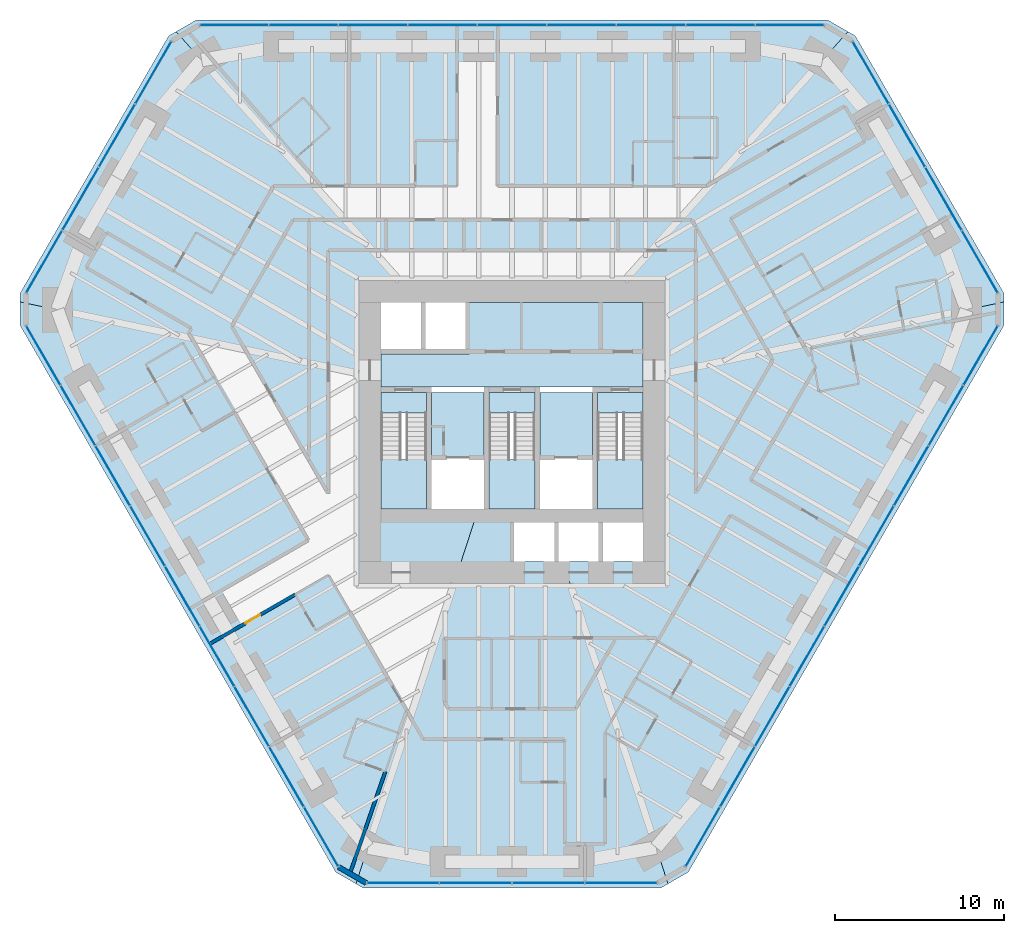
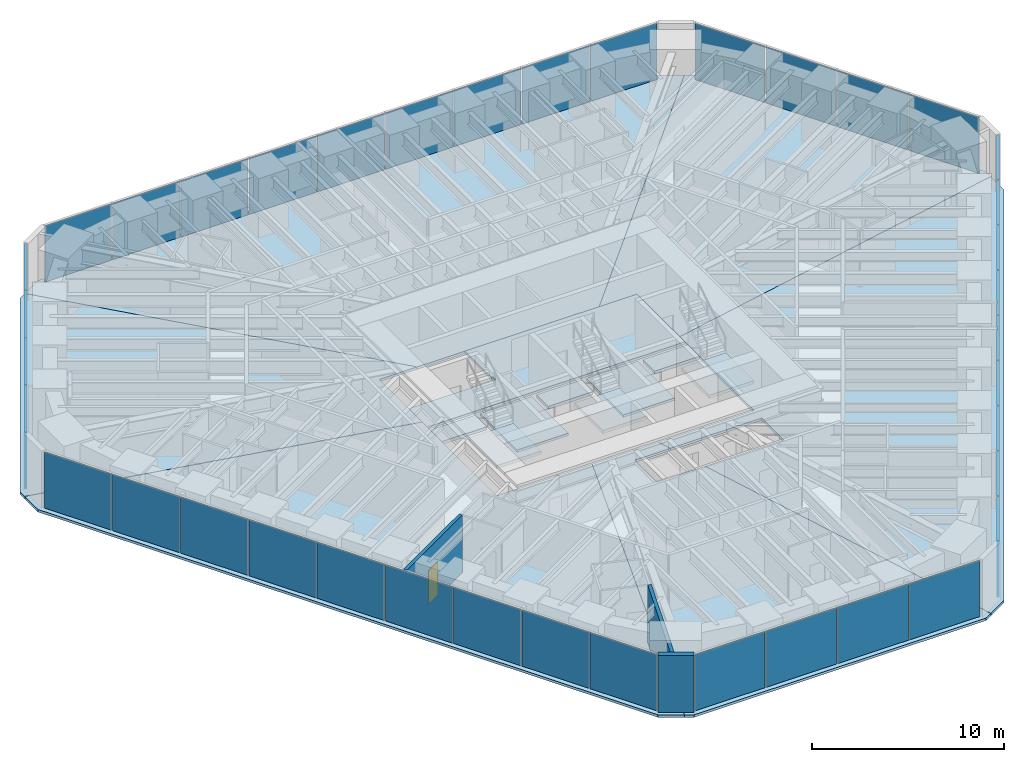
# One storey, part 10 of 17: 39 plates, 15 slabs, 3 walls, 1 door, 1 opening, 9 elements without a shape of their own.
"""IFC4 building model written with IfcOpenShell, lengths in metres."""

from ifc_helpers import new_model, si_unit, direction, frame, frame_2d, origin, origin_2d, place, context, subcontext, project, spatial, polyline, rectangle, outline, extrude, material, layer, layer_set, type_object, element, fill, aggregate, save


model = new_model("IFC4")

# Units and contexts
model_context = context("Model", 3, precision=1e-05, world=origin(), true_north=direction((0.0, 1.0)))
body_context = subcontext(model_context, "Body", "Model", "MODEL_VIEW")
ifc_project = project(units=[si_unit("LENGTHUNIT", "METRE"), si_unit("AREAUNIT", "SQUARE_METRE"), si_unit("VOLUMEUNIT", "CUBIC_METRE"), si_unit("PLANEANGLEUNIT", "RADIAN"), si_unit("MASSUNIT", "GRAM", prefix="KILO")], contexts=[model_context])

# Site, building, storey
site_placement = place(None, origin())
site = spatial("IfcSite", under=ifc_project, at=site_placement, CompositionType="ELEMENT")
building_placement = place(site_placement, origin())
building = spatial("IfcBuilding", under=site, at=building_placement, Name="Sandreach Pilgrim Tower", CompositionType="ELEMENT")
storey_placement = place(building_placement, frame((0.0, 0.0, 142.39990234375)))
storey = spatial("IfcBuildingStorey", under=building, at=storey_placement, Name="L35", CompositionType="ELEMENT", Elevation=142.39990234375)

# Curtain wall, plates
ifc_material_1 = material(Name="Aluminium framed curtain wall", Category="aluminium")
curtain_wall_type = type_object("IfcCurtainWallType", Name="Hotel tower curtain wall", PredefinedType="NOTDEFINED", material=ifc_material_1)
curtain_wall_1_placement = place(storey_placement, origin())
curtain_wall_1 = element("IfcCurtainWall", 1, at=curtain_wall_1_placement, inside=storey, type_object=curtain_wall_type, Name="CW-2 L35 N", PredefinedType="NOTDEFINED")
ifc_material_2 = material(Name="Insulating glass unit 8 heat-strengthened + 16 argon + 8 heat-strengthened", Category="glass")
ifc_layer_1 = layer(ifc_material_2, 0.031982421875)
ifc_layer_set_1 = layer_set([ifc_layer_1], Name="CW-2 panel")
plate_type = type_object("IfcPlateType", Name="CW-2 panel", PredefinedType="CURTAIN_PANEL", material=ifc_layer_set_1)
plate_1_placement = place(storey_placement, frame((-16.41162109375, 22.493896484375, 0.0), z_axis=(0.0, 0.0, 1.0), x_axis=(1.0, 0.0, 0.0)))
plate_1 = element("IfcPlate", 2, at=plate_1_placement, type_object=plate_type, Name="CW-2 panel 1", PredefinedType="CURTAIN_PANEL", context=body_context, shape_type="SweptSolid", body=[
    extrude(rectangle(XDim=4.009521484375, YDim=0.031982421875, at=origin_2d()), origin(), (0.0, 0.0, 1.0), 3.570068359375),
])
plate_2_placement = place(storey_placement, frame((-12.32080078125, 22.493896484375, 0.0), z_axis=(0.0, 0.0, 1.0), x_axis=(1.0, 0.0, 0.0)))
plate_2 = element("IfcPlate", 3, at=plate_2_placement, type_object=plate_type, Name="CW-2 panel 2", PredefinedType="CURTAIN_PANEL", context=body_context, shape_type="SweptSolid", body=[
    extrude(rectangle(XDim=4.0419921875, YDim=0.031982421875, at=origin_2d()), origin(), (0.0, 0.0, 1.0), 3.570068359375),
])
plate_3_placement = place(storey_placement, frame((-8.2138671875, 22.493896484375, 0.0), z_axis=(0.0, 0.0, 1.0), x_axis=(1.0, 0.0, 0.0)))
plate_3 = element("IfcPlate", 4, at=plate_3_placement, type_object=plate_type, Name="CW-2 panel 3", PredefinedType="CURTAIN_PANEL", context=body_context, shape_type="SweptSolid", body=[
    extrude(rectangle(XDim=4.0419921875, YDim=0.031982421875, at=origin_2d()), origin(), (0.0, 0.0, 1.0), 3.570068359375),
])
plate_4_placement = place(storey_placement, frame((-4.10693359375, 22.493896484375, 0.0), z_axis=(0.0, 0.0, 1.0), x_axis=(1.0, 0.0, 0.0)))
plate_4 = element("IfcPlate", 5, at=plate_4_placement, type_object=plate_type, Name="CW-2 panel 4", PredefinedType="CURTAIN_PANEL", context=body_context, shape_type="SweptSolid", body=[
    extrude(rectangle(XDim=4.0419921875, YDim=0.031982421875, at=origin_2d()), origin(), (0.0, 0.0, 1.0), 3.570068359375),
])
plate_5_placement = place(storey_placement, frame((0.0, 22.493896484375, 0.0), z_axis=(0.0, 0.0, 1.0), x_axis=(1.0, 0.0, 0.0)))
plate_5 = element("IfcPlate", 6, at=plate_5_placement, type_object=plate_type, Name="CW-2 panel 5", PredefinedType="CURTAIN_PANEL", context=body_context, shape_type="SweptSolid", body=[
    extrude(rectangle(XDim=4.0419921875, YDim=0.031982421875, at=origin_2d()), origin(), (0.0, 0.0, 1.0), 3.570068359375),
])
plate_6_placement = place(storey_placement, frame((4.10693359375, 22.493896484375, 0.0), z_axis=(0.0, 0.0, 1.0), x_axis=(1.0, 0.0, 0.0)))
plate_6 = element("IfcPlate", 7, at=plate_6_placement, type_object=plate_type, Name="CW-2 panel 6", PredefinedType="CURTAIN_PANEL", context=body_context, shape_type="SweptSolid", body=[
    extrude(rectangle(XDim=4.0419921875, YDim=0.031982421875, at=origin_2d()), origin(), (0.0, 0.0, 1.0), 3.570068359375),
])
plate_7_placement = place(storey_placement, frame((8.2138671875, 22.493896484375, 0.0), z_axis=(0.0, 0.0, 1.0), x_axis=(1.0, 0.0, 0.0)))
plate_7 = element("IfcPlate", 8, at=plate_7_placement, type_object=plate_type, Name="CW-2 panel 7", PredefinedType="CURTAIN_PANEL", context=body_context, shape_type="SweptSolid", body=[
    extrude(rectangle(XDim=4.0419921875, YDim=0.031982421875, at=origin_2d()), origin(), (0.0, 0.0, 1.0), 3.570068359375),
])
plate_8_placement = place(storey_placement, frame((12.32080078125, 22.493896484375, 0.0), z_axis=(0.0, 0.0, 1.0), x_axis=(1.0, 0.0, 0.0)))
plate_8 = element("IfcPlate", 9, at=plate_8_placement, type_object=plate_type, Name="CW-2 panel 8", PredefinedType="CURTAIN_PANEL", context=body_context, shape_type="SweptSolid", body=[
    extrude(rectangle(XDim=4.0419921875, YDim=0.031982421875, at=origin_2d()), origin(), (0.0, 0.0, 1.0), 3.570068359375),
])
plate_9_placement = place(storey_placement, frame((16.41162109375, 22.493896484375, 0.0), z_axis=(0.0, 0.0, 1.0), x_axis=(1.0, 0.0, 0.0)))
plate_9 = element("IfcPlate", 10, at=plate_9_placement, type_object=plate_type, Name="CW-2 panel 9", PredefinedType="CURTAIN_PANEL", context=body_context, shape_type="SweptSolid", body=[
    extrude(rectangle(XDim=4.009521484375, YDim=0.031982421875, at=origin_2d()), origin(), (0.0, 0.0, 1.0), 3.570068359375),
])
aggregate(curtain_wall_1, [plate_1, plate_2, plate_3, plate_4, plate_5, plate_6, plate_7, plate_8, plate_9])

curtain_wall_2_placement = place(storey_placement, origin())
curtain_wall_2 = element("IfcCurtainWall", 11, at=curtain_wall_2_placement, inside=storey, type_object=curtain_wall_type, Name="CW-2 L35 NE", PredefinedType="NOTDEFINED")
plate_10_placement = place(storey_placement, frame((21.194091796875, 19.67529296875, 0.0), z_axis=(0.0, 0.0, 1.0), x_axis=(0.5, -0.866025403784, 0.0)))
plate_10 = element("IfcPlate", 12, at=plate_10_placement, type_object=plate_type, Name="CW-2 panel 1", PredefinedType="CURTAIN_PANEL", context=body_context, shape_type="SweptSolid", body=[
    extrude(rectangle(XDim=4.208251953125, YDim=0.031982421875, at=origin_2d()), origin(), (0.0, 0.0, 1.0), 3.570068359375),
])
plate_11_placement = place(storey_placement, frame((23.3388671875, 15.96044921875, 0.0), z_axis=(0.0, 0.0, 1.0), x_axis=(0.5, -0.866025403784, 0.0)))
plate_11 = element("IfcPlate", 13, at=plate_11_placement, type_object=plate_type, Name="CW-2 panel 2", PredefinedType="CURTAIN_PANEL", context=body_context, shape_type="SweptSolid", body=[
    extrude(rectangle(XDim=4.24072265625, YDim=0.031982421875, at=origin_2d()), origin(), (0.0, 0.0, 1.0), 3.570068359375),
])
plate_12_placement = place(storey_placement, frame((25.49169921875, 12.231689453125, 0.0), z_axis=(0.0, 0.0, 1.0), x_axis=(0.5, -0.866025403784, 0.0)))
plate_12 = element("IfcPlate", 14, at=plate_12_placement, type_object=plate_type, Name="CW-2 panel 3", PredefinedType="CURTAIN_PANEL", context=body_context, shape_type="SweptSolid", body=[
    extrude(rectangle(XDim=4.24072265625, YDim=0.031982421875, at=origin_2d()), origin(), (0.0, 0.0, 1.0), 3.570068359375),
])
plate_13_placement = place(storey_placement, frame((27.63623046875, 8.516845703125, 0.0), z_axis=(0.0, 0.0, 1.0), x_axis=(0.5, -0.866025403784, 0.0)))
plate_13 = element("IfcPlate", 15, at=plate_13_placement, type_object=plate_type, Name="CW-2 panel 4", PredefinedType="CURTAIN_PANEL", context=body_context, shape_type="SweptSolid", body=[
    extrude(rectangle(XDim=4.208251953125, YDim=0.031982421875, at=origin_2d()), origin(), (0.0, 0.0, 1.0), 3.570068359375),
])
aggregate(curtain_wall_2, [plate_10, plate_11, plate_12, plate_13])

curtain_wall_3_placement = place(storey_placement, origin())
curtain_wall_3 = element("IfcCurtainWall", 16, at=curtain_wall_3_placement, inside=storey, type_object=curtain_wall_type, Name="CW-2 L35 SE", PredefinedType="NOTDEFINED")
plate_14_placement = place(storey_placement, frame((27.68603515625, 2.966064453125, 0.0), z_axis=(0.0, 0.0, 1.0), x_axis=(-0.5, -0.866025403784, 0.0)))
plate_14 = element("IfcPlate", 17, at=plate_14_placement, type_object=plate_type, Name="CW-2 panel 1", PredefinedType="CURTAIN_PANEL", context=body_context, shape_type="SweptSolid", body=[
    extrude(rectangle(XDim=4.009521484375, YDim=0.031982421875, at=origin_2d()), origin(), (0.0, 0.0, 1.0), 3.570068359375),
])
plate_15_placement = place(storey_placement, frame((25.640625, -0.57666015625, 0.0), z_axis=(0.0, 0.0, 1.0), x_axis=(-0.5, -0.866025403784, 0.0)))
plate_15 = element("IfcPlate", 18, at=plate_15_placement, type_object=plate_type, Name="CW-2 panel 2", PredefinedType="CURTAIN_PANEL", context=body_context, shape_type="SweptSolid", body=[
    extrude(rectangle(XDim=4.0419921875, YDim=0.031982421875, at=origin_2d()), origin(), (0.0, 0.0, 1.0), 3.570068359375),
])
plate_16_placement = place(storey_placement, frame((23.587158203125, -4.13330078125, 0.0), z_axis=(0.0, 0.0, 1.0), x_axis=(-0.5, -0.866025403784, 0.0)))
plate_16 = element("IfcPlate", 19, at=plate_16_placement, type_object=plate_type, Name="CW-2 panel 3", PredefinedType="CURTAIN_PANEL", context=body_context, shape_type="SweptSolid", body=[
    extrude(rectangle(XDim=4.0419921875, YDim=0.031982421875, at=origin_2d()), origin(), (0.0, 0.0, 1.0), 3.570068359375),
])
plate_17_placement = place(storey_placement, frame((21.53369140625, -7.690185546875, 0.0), z_axis=(0.0, 0.0, 1.0), x_axis=(-0.5, -0.866025403784, 0.0)))
plate_17 = element("IfcPlate", 20, at=plate_17_placement, type_object=plate_type, Name="CW-2 panel 4", PredefinedType="CURTAIN_PANEL", context=body_context, shape_type="SweptSolid", body=[
    extrude(rectangle(XDim=4.0419921875, YDim=0.031982421875, at=origin_2d()), origin(), (0.0, 0.0, 1.0), 3.570068359375),
])
plate_18_placement = place(storey_placement, frame((19.480224609375, -11.246826171875, 0.0), z_axis=(0.0, 0.0, 1.0), x_axis=(-0.5, -0.866025403784, 0.0)))
plate_18 = element("IfcPlate", 21, at=plate_18_placement, type_object=plate_type, Name="CW-2 panel 5", PredefinedType="CURTAIN_PANEL", context=body_context, shape_type="SweptSolid", body=[
    extrude(rectangle(XDim=4.0419921875, YDim=0.031982421875, at=origin_2d()), origin(), (0.0, 0.0, 1.0), 3.570068359375),
])
plate_19_placement = place(storey_placement, frame((17.4267578125, -14.8037109375, 0.0), z_axis=(0.0, 0.0, 1.0), x_axis=(-0.5, -0.866025403784, 0.0)))
plate_19 = element("IfcPlate", 22, at=plate_19_placement, type_object=plate_type, Name="CW-2 panel 6", PredefinedType="CURTAIN_PANEL", context=body_context, shape_type="SweptSolid", body=[
    extrude(rectangle(XDim=4.0419921875, YDim=0.031982421875, at=origin_2d()), origin(), (0.0, 0.0, 1.0), 3.570068359375),
])
plate_20_placement = place(storey_placement, frame((15.373291015625, -18.3603515625, 0.0), z_axis=(0.0, 0.0, 1.0), x_axis=(-0.5, -0.866025403784, 0.0)))
plate_20 = element("IfcPlate", 23, at=plate_20_placement, type_object=plate_type, Name="CW-2 panel 7", PredefinedType="CURTAIN_PANEL", context=body_context, shape_type="SweptSolid", body=[
    extrude(rectangle(XDim=4.0419921875, YDim=0.031982421875, at=origin_2d()), origin(), (0.0, 0.0, 1.0), 3.570068359375),
])
plate_21_placement = place(storey_placement, frame((13.31982421875, -21.917236328125, 0.0), z_axis=(0.0, 0.0, 1.0), x_axis=(-0.5, -0.866025403784, 0.0)))
plate_21 = element("IfcPlate", 24, at=plate_21_placement, type_object=plate_type, Name="CW-2 panel 8", PredefinedType="CURTAIN_PANEL", context=body_context, shape_type="SweptSolid", body=[
    extrude(rectangle(XDim=4.0419921875, YDim=0.031982421875, at=origin_2d()), origin(), (0.0, 0.0, 1.0), 3.570068359375),
])
plate_22_placement = place(storey_placement, frame((11.2744140625, -25.459716796875, 0.0), z_axis=(0.0, 0.0, 1.0), x_axis=(-0.5, -0.866025403784, 0.0)))
plate_22 = element("IfcPlate", 25, at=plate_22_placement, type_object=plate_type, Name="CW-2 panel 9", PredefinedType="CURTAIN_PANEL", context=body_context, shape_type="SweptSolid", body=[
    extrude(rectangle(XDim=4.009521484375, YDim=0.031982421875, at=origin_2d()), origin(), (0.0, 0.0, 1.0), 3.570068359375),
])
aggregate(curtain_wall_3, [plate_14, plate_15, plate_16, plate_17, plate_18, plate_19, plate_20, plate_21, plate_22])

curtain_wall_4_placement = place(storey_placement, origin())
curtain_wall_4 = element("IfcCurtainWall", 26, at=curtain_wall_4_placement, inside=storey, type_object=curtain_wall_type, Name="CW-2 L35 S", PredefinedType="NOTDEFINED")
plate_23_placement = place(storey_placement, frame((6.4423828125, -28.192138671875, 0.0), z_axis=(0.0, 0.0, 1.0), x_axis=(-1.0, 0.0, 0.0)))
plate_23 = element("IfcPlate", 27, at=plate_23_placement, type_object=plate_type, Name="CW-2 panel 1", PredefinedType="CURTAIN_PANEL", context=body_context, shape_type="SweptSolid", body=[
    extrude(rectangle(XDim=4.208251953125, YDim=0.031982421875, at=origin_2d()), origin(), (0.0, 0.0, 1.0), 3.570068359375),
])
plate_24_placement = place(storey_placement, frame((2.15283203125, -28.192138671875, 0.0), z_axis=(0.0, 0.0, 1.0), x_axis=(-1.0, 0.0, 0.0)))
plate_24 = element("IfcPlate", 28, at=plate_24_placement, type_object=plate_type, Name="CW-2 panel 2", PredefinedType="CURTAIN_PANEL", context=body_context, shape_type="SweptSolid", body=[
    extrude(rectangle(XDim=4.24072265625, YDim=0.031982421875, at=origin_2d()), origin(), (0.0, 0.0, 1.0), 3.570068359375),
])
plate_25_placement = place(storey_placement, frame((-2.15283203125, -28.192138671875, 0.0), z_axis=(0.0, 0.0, 1.0), x_axis=(-1.0, 0.0, 0.0)))
plate_25 = element("IfcPlate", 29, at=plate_25_placement, type_object=plate_type, Name="CW-2 panel 3", PredefinedType="CURTAIN_PANEL", context=body_context, shape_type="SweptSolid", body=[
    extrude(rectangle(XDim=4.24072265625, YDim=0.031982421875, at=origin_2d()), origin(), (0.0, 0.0, 1.0), 3.570068359375),
])
plate_26_placement = place(storey_placement, frame((-6.4423828125, -28.192138671875, 0.0), z_axis=(0.0, 0.0, 1.0), x_axis=(-1.0, 0.0, 0.0)))
plate_26 = element("IfcPlate", 30, at=plate_26_placement, type_object=plate_type, Name="CW-2 panel 4", PredefinedType="CURTAIN_PANEL", context=body_context, shape_type="SweptSolid", body=[
    extrude(rectangle(XDim=4.208251953125, YDim=0.031982421875, at=origin_2d()), origin(), (0.0, 0.0, 1.0), 3.570068359375),
])
aggregate(curtain_wall_4, [plate_23, plate_24, plate_25, plate_26])

curtain_wall_5_placement = place(storey_placement, origin())
curtain_wall_5 = element("IfcCurtainWall", 31, at=curtain_wall_5_placement, inside=storey, type_object=curtain_wall_type, Name="CW-2 L35 SW", PredefinedType="NOTDEFINED")
plate_27_placement = place(storey_placement, frame((-11.2744140625, -25.459716796875, 0.0), z_axis=(0.0, 0.0, 1.0), x_axis=(-0.5, 0.866025403784, 0.0)))
plate_27 = element("IfcPlate", 32, at=plate_27_placement, type_object=plate_type, Name="CW-2 panel 1", PredefinedType="CURTAIN_PANEL", context=body_context, shape_type="SweptSolid", body=[
    extrude(rectangle(XDim=4.009521484375, YDim=0.031982421875, at=origin_2d()), origin(), (0.0, 0.0, 1.0), 3.570068359375),
])
plate_28_placement = place(storey_placement, frame((-13.31982421875, -21.917236328125, 0.0), z_axis=(0.0, 0.0, 1.0), x_axis=(-0.5, 0.866025403784, 0.0)))
plate_28 = element("IfcPlate", 33, at=plate_28_placement, type_object=plate_type, Name="CW-2 panel 2", PredefinedType="CURTAIN_PANEL", context=body_context, shape_type="SweptSolid", body=[
    extrude(rectangle(XDim=4.0419921875, YDim=0.031982421875, at=origin_2d()), origin(), (0.0, 0.0, 1.0), 3.570068359375),
])
plate_29_placement = place(storey_placement, frame((-15.373291015625, -18.3603515625, 0.0), z_axis=(0.0, 0.0, 1.0), x_axis=(-0.5, 0.866025403784, 0.0)))
plate_29 = element("IfcPlate", 34, at=plate_29_placement, type_object=plate_type, Name="CW-2 panel 3", PredefinedType="CURTAIN_PANEL", context=body_context, shape_type="SweptSolid", body=[
    extrude(rectangle(XDim=4.0419921875, YDim=0.031982421875, at=origin_2d()), origin(), (0.0, 0.0, 1.0), 3.570068359375),
])
plate_30_placement = place(storey_placement, frame((-17.4267578125, -14.8037109375, 0.0), z_axis=(0.0, 0.0, 1.0), x_axis=(-0.5, 0.866025403784, 0.0)))
plate_30 = element("IfcPlate", 35, at=plate_30_placement, type_object=plate_type, Name="CW-2 panel 4", PredefinedType="CURTAIN_PANEL", context=body_context, shape_type="SweptSolid", body=[
    extrude(rectangle(XDim=4.0419921875, YDim=0.031982421875, at=origin_2d()), origin(), (0.0, 0.0, 1.0), 3.570068359375),
])
plate_31_placement = place(storey_placement, frame((-19.480224609375, -11.246826171875, 0.0), z_axis=(0.0, 0.0, 1.0), x_axis=(-0.5, 0.866025403784, 0.0)))
plate_31 = element("IfcPlate", 36, at=plate_31_placement, type_object=plate_type, Name="CW-2 panel 5", PredefinedType="CURTAIN_PANEL", context=body_context, shape_type="SweptSolid", body=[
    extrude(rectangle(XDim=4.0419921875, YDim=0.031982421875, at=origin_2d()), origin(), (0.0, 0.0, 1.0), 3.570068359375),
])
plate_32_placement = place(storey_placement, frame((-21.53369140625, -7.690185546875, 0.0), z_axis=(0.0, 0.0, 1.0), x_axis=(-0.5, 0.866025403784, 0.0)))
plate_32 = element("IfcPlate", 37, at=plate_32_placement, type_object=plate_type, Name="CW-2 panel 6", PredefinedType="CURTAIN_PANEL", context=body_context, shape_type="SweptSolid", body=[
    extrude(rectangle(XDim=4.0419921875, YDim=0.031982421875, at=origin_2d()), origin(), (0.0, 0.0, 1.0), 3.570068359375),
])
plate_33_placement = place(storey_placement, frame((-23.587158203125, -4.13330078125, 0.0), z_axis=(0.0, 0.0, 1.0), x_axis=(-0.5, 0.866025403784, 0.0)))
plate_33 = element("IfcPlate", 38, at=plate_33_placement, type_object=plate_type, Name="CW-2 panel 7", PredefinedType="CURTAIN_PANEL", context=body_context, shape_type="SweptSolid", body=[
    extrude(rectangle(XDim=4.0419921875, YDim=0.031982421875, at=origin_2d()), origin(), (0.0, 0.0, 1.0), 3.570068359375),
])
plate_34_placement = place(storey_placement, frame((-25.640625, -0.57666015625, 0.0), z_axis=(0.0, 0.0, 1.0), x_axis=(-0.5, 0.866025403784, 0.0)))
plate_34 = element("IfcPlate", 39, at=plate_34_placement, type_object=plate_type, Name="CW-2 panel 8", PredefinedType="CURTAIN_PANEL", context=body_context, shape_type="SweptSolid", body=[
    extrude(rectangle(XDim=4.0419921875, YDim=0.031982421875, at=origin_2d()), origin(), (0.0, 0.0, 1.0), 3.570068359375),
])
plate_35_placement = place(storey_placement, frame((-27.68603515625, 2.966064453125, 0.0), z_axis=(0.0, 0.0, 1.0), x_axis=(-0.5, 0.866025403784, 0.0)))
plate_35 = element("IfcPlate", 40, at=plate_35_placement, type_object=plate_type, Name="CW-2 panel 9", PredefinedType="CURTAIN_PANEL", context=body_context, shape_type="SweptSolid", body=[
    extrude(rectangle(XDim=4.009521484375, YDim=0.031982421875, at=origin_2d()), origin(), (0.0, 0.0, 1.0), 3.570068359375),
])
aggregate(curtain_wall_5, [plate_27, plate_28, plate_29, plate_30, plate_31, plate_32, plate_33, plate_34, plate_35])

curtain_wall_6_placement = place(storey_placement, origin())
curtain_wall_6 = element("IfcCurtainWall", 41, at=curtain_wall_6_placement, inside=storey, type_object=curtain_wall_type, Name="CW-2 L35 NW", PredefinedType="NOTDEFINED")
plate_36_placement = place(storey_placement, frame((-27.63623046875, 8.516845703125, 0.0), z_axis=(0.0, 0.0, 1.0), x_axis=(0.5, 0.866025403784, 0.0)))
plate_36 = element("IfcPlate", 42, at=plate_36_placement, type_object=plate_type, Name="CW-2 panel 1", PredefinedType="CURTAIN_PANEL", context=body_context, shape_type="SweptSolid", body=[
    extrude(rectangle(XDim=4.208251953125, YDim=0.031982421875, at=origin_2d()), origin(), (0.0, 0.0, 1.0), 3.570068359375),
])
plate_37_placement = place(storey_placement, frame((-25.49169921875, 12.231689453125, 0.0), z_axis=(0.0, 0.0, 1.0), x_axis=(0.5, 0.866025403784, 0.0)))
plate_37 = element("IfcPlate", 43, at=plate_37_placement, type_object=plate_type, Name="CW-2 panel 2", PredefinedType="CURTAIN_PANEL", context=body_context, shape_type="SweptSolid", body=[
    extrude(rectangle(XDim=4.24072265625, YDim=0.031982421875, at=origin_2d()), origin(), (0.0, 0.0, 1.0), 3.570068359375),
])
plate_38_placement = place(storey_placement, frame((-23.3388671875, 15.96044921875, 0.0), z_axis=(0.0, 0.0, 1.0), x_axis=(0.5, 0.866025403784, 0.0)))
plate_38 = element("IfcPlate", 44, at=plate_38_placement, type_object=plate_type, Name="CW-2 panel 3", PredefinedType="CURTAIN_PANEL", context=body_context, shape_type="SweptSolid", body=[
    extrude(rectangle(XDim=4.24072265625, YDim=0.031982421875, at=origin_2d()), origin(), (0.0, 0.0, 1.0), 3.570068359375),
])
plate_39_placement = place(storey_placement, frame((-21.194091796875, 19.67529296875, 0.0), z_axis=(0.0, 0.0, 1.0), x_axis=(0.5, 0.866025403784, 0.0)))
plate_39 = element("IfcPlate", 45, at=plate_39_placement, type_object=plate_type, Name="CW-2 panel 4", PredefinedType="CURTAIN_PANEL", context=body_context, shape_type="SweptSolid", body=[
    extrude(rectangle(XDim=4.208251953125, YDim=0.031982421875, at=origin_2d()), origin(), (0.0, 0.0, 1.0), 3.570068359375),
])
aggregate(curtain_wall_6, [plate_36, plate_37, plate_38, plate_39])

# Slabs
ifc_material_3 = material(Name="Concrete 8000 psi", Category="concrete")
ifc_layer_2 = layer(ifc_material_3, 0.159912109375)
ifc_layer_set_2 = layer_set([ifc_layer_2], Name="Composite floor slab 160")
slab_type_1 = type_object("IfcSlabType", Name="Composite floor slab 160", PredefinedType="FLOOR", material=ifc_layer_set_2)
slab_1_placement = place(storey_placement, frame((0.0, 0.0, -0.159912109375)))
element("IfcSlab", 46, at=slab_1_placement, inside=storey, type_object=slab_type_1, Name="Floor slab L35 N sector", PredefinedType="FLOOR", context=body_context, shape_type="SweptSolid", body=[
    extrude(outline(polyline([(-18.654541015625, 22.793701171875), (18.654541015625, 22.793701171875), (19.848388671875, 22.1044921875), (5.477294921875, 6.10009765625), (-5.477294921875, 6.10009765625), (-19.848388671875, 22.1044921875), (-18.654541015625, 22.793701171875)])), origin(), (0.0, 0.0, 1.0), 0.159912109375),
])
slab_2_placement = place(storey_placement, frame((0.0, 0.0, -0.159912109375)))
element("IfcSlab", 47, at=slab_2_placement, inside=storey, type_object=slab_type_1, Name="Floor slab L35 NE sector", PredefinedType="FLOOR", context=body_context, shape_type="SweptSolid", body=[
    extrude(outline(polyline([(20.28271484375, 21.853759765625), (29.0673828125, 6.638427734375), (29.0673828125, 6.13720703125), (7.75, 1.63623046875), (7.75, 6.10009765625), (5.477294921875, 6.10009765625), (19.848388671875, 22.1044921875), (20.28271484375, 21.853759765625)])), origin(), (0.0, 0.0, 1.0), 0.159912109375),
])
slab_3_placement = place(storey_placement, frame((0.0, 0.0, -0.159912109375)))
element("IfcSlab", 48, at=slab_3_placement, inside=storey, type_object=slab_type_1, Name="Floor slab L35 SE sector", PredefinedType="FLOOR", context=body_context, shape_type="SweptSolid", body=[
    extrude(outline(polyline([(29.0673828125, 4.75830078125), (10.41259765625, -27.55224609375), (9.21875, -28.241455078125), (3.003173828125, -9.199951171875), (7.75, -9.199951171875), (7.75, -6.89990234375), (2.252197265625, -6.89990234375), (1.9912109375, -6.10009765625), (7.75, -6.10009765625), (7.75, 1.63623046875), (29.0673828125, 6.13720703125), (29.0673828125, 4.75830078125)])), origin(), (0.0, 0.0, 1.0), 0.159912109375),
])
slab_4_placement = place(storey_placement, frame((0.0, 0.0, -0.159912109375)))
element("IfcSlab", 49, at=slab_4_placement, inside=storey, type_object=slab_type_1, Name="Floor slab L35 S sector", PredefinedType="FLOOR", context=body_context, shape_type="SweptSolid", body=[
    extrude(outline(polyline([(8.78466796875, -28.4921875), (-8.78466796875, -28.4921875), (-9.21875, -28.241455078125), (-1.9912109375, -6.10009765625), (1.9912109375, -6.10009765625), (2.252197265625, -6.89990234375), (0.125, -6.89990234375), (0.125, -9.199951171875), (3.003173828125, -9.199951171875), (9.21875, -28.241455078125), (8.78466796875, -28.4921875)])), origin(), (0.0, 0.0, 1.0), 0.159912109375),
])
slab_5_placement = place(storey_placement, frame((0.0, 0.0, -0.159912109375)))
element("IfcSlab", 50, at=slab_5_placement, inside=storey, type_object=slab_type_1, Name="Floor slab L35 SW sector", PredefinedType="FLOOR", context=body_context, shape_type="SweptSolid", body=[
    extrude(outline(polyline([(-10.41259765625, -27.55224609375), (-29.0673828125, 4.75830078125), (-29.0673828125, 6.13720703125), (-7.75, 1.63623046875), (-7.75, -6.10009765625), (-1.9912109375, -6.10009765625), (-9.21875, -28.241455078125), (-10.41259765625, -27.55224609375)])), origin(), (0.0, 0.0, 1.0), 0.159912109375),
])
slab_6_placement = place(storey_placement, frame((0.0, 0.0, -0.159912109375)))
element("IfcSlab", 51, at=slab_6_placement, inside=storey, type_object=slab_type_1, Name="Floor slab L35 NW sector", PredefinedType="FLOOR", context=body_context, shape_type="SweptSolid", body=[
    extrude(outline(polyline([(-29.0673828125, 6.638427734375), (-20.28271484375, 21.853759765625), (-19.848388671875, 22.1044921875), (-5.477294921875, 6.10009765625), (-7.75, 6.10009765625), (-7.75, 1.63623046875), (-29.0673828125, 6.13720703125), (-29.0673828125, 6.638427734375)])), origin(), (0.0, 0.0, 1.0), 0.159912109375),
])
slab_7_placement = place(storey_placement, frame((0.0, 0.0, -0.159912109375)))
element("IfcSlab", 52, at=slab_7_placement, inside=storey, type_object=slab_type_1, Name="Core floor slab and stores L35", PredefinedType="FLOOR", context=body_context, shape_type="SweptSolid", body=[
    extrude(outline(polyline([(-7.75, 3.050048828125), (-5.375, 3.050048828125), (-5.125, 3.050048828125), (-2.5, 3.050048828125), (-2.5, 3.35009765625), (-2.60009765625, 3.35009765625), (-2.60009765625, 6.10009765625), (7.75, 6.10009765625), (7.75, 1.10009765625), (5.050048828125, 1.10009765625), (4.75, 1.10009765625), (1.64990234375, 1.10009765625), (1.35009765625, 1.10009765625), (-1.35009765625, 1.10009765625), (-1.64990234375, 1.10009765625), (-4.75, 1.10009765625), (-5.050048828125, 1.10009765625), (-7.75, 1.10009765625), (-7.75, 3.050048828125)])), origin(), (0.0, 0.0, 1.0), 0.159912109375),
])
slab_8_placement = place(storey_placement, frame((0.0, 0.0, -0.159912109375)))
element("IfcSlab", 53, at=slab_8_placement, inside=storey, type_object=slab_type_1, Name="Core floor slab and stores L35 2", PredefinedType="FLOOR", context=body_context, shape_type="SweptSolid", body=[
    extrude(outline(polyline([(-1.64990234375, -3.050048828125), (-4.75, -3.050048828125), (-4.75, 0.800048828125), (-1.64990234375, 0.800048828125), (-1.64990234375, -3.050048828125)])), origin(), (0.0, 0.0, 1.0), 0.159912109375),
])
slab_9_placement = place(storey_placement, frame((0.0, 0.0, -0.159912109375)))
element("IfcSlab", 54, at=slab_9_placement, inside=storey, type_object=slab_type_1, Name="Core floor slab and stores L35 3", PredefinedType="FLOOR", context=body_context, shape_type="SweptSolid", body=[
    extrude(outline(polyline([(4.75, -3.050048828125), (1.64990234375, -3.050048828125), (1.64990234375, 0.800048828125), (4.75, 0.800048828125), (4.75, -3.050048828125)])), origin(), (0.0, 0.0, 1.0), 0.159912109375),
])

# Stair, slabs
ifc_material_4 = material(Name="Concrete 8000 psi", Category="concrete")
stair_type = type_object("IfcStairType", Name="Core exit stair", PredefinedType="HALF_TURN_STAIR", material=ifc_material_4)
stair_1_placement = place(storey_placement, origin())
stair_1 = element("IfcStair", 55, at=stair_1_placement, inside=storey, type_object=stair_type, Name="Exit stair ST1 L35", PredefinedType="HALF_TURN_STAIR")
ifc_material_5 = material(Name="Concrete 8000 psi", Category="concrete")
ifc_layer_3 = layer(ifc_material_5, 0.199951171875)
ifc_layer_set_3 = layer_set([ifc_layer_3], Name="Core stair landing 200")
slab_type_2 = type_object("IfcSlabType", Name="Core stair landing 200", PredefinedType="LANDING", material=ifc_layer_set_3)
slab_10_placement = place(storey_placement, frame((0.0, 0.0, -0.199951171875)))
slab_10 = element("IfcSlab", 56, at=slab_10_placement, type_object=slab_type_2, Name="ST1 landing 1", PredefinedType="LANDING", context=body_context, shape_type="SweptSolid", body=[
    extrude(outline(polyline([(-7.75, -0.425048828125), (-5.050048828125, -0.425048828125), (-5.050048828125, 0.800048828125), (-7.75, 0.800048828125), (-7.75, -0.425048828125)])), origin(), (0.0, 0.0, 1.0), 0.199951171875),
])
slab_11_placement = place(storey_placement, frame((0.0, 0.0, 1.7001953125)))
slab_11 = element("IfcSlab", 57, at=slab_11_placement, type_object=slab_type_2, Name="ST1 landing 2", PredefinedType="LANDING", context=body_context, shape_type="SweptSolid", body=[
    extrude(outline(polyline([(-7.75, -6.10009765625), (-5.050048828125, -6.10009765625), (-5.050048828125, -3.175048828125), (-7.75, -3.175048828125), (-7.75, -6.10009765625)])), origin(), (0.0, 0.0, 1.0), 0.199951171875),
])
aggregate(stair_1, [slab_10, slab_11])

stair_2_placement = place(storey_placement, origin())
stair_2 = element("IfcStair", 58, at=stair_2_placement, inside=storey, type_object=stair_type, Name="Exit stair ST3 L35", PredefinedType="HALF_TURN_STAIR")
slab_12_placement = place(storey_placement, frame((0.0, 0.0, -0.199951171875)))
slab_12 = element("IfcSlab", 59, at=slab_12_placement, type_object=slab_type_2, Name="ST3 landing 1", PredefinedType="LANDING", context=body_context, shape_type="SweptSolid", body=[
    extrude(outline(polyline([(-1.35009765625, -0.425048828125), (1.35009765625, -0.425048828125), (1.35009765625, 0.800048828125), (-1.35009765625, 0.800048828125), (-1.35009765625, -0.425048828125)])), origin(), (0.0, 0.0, 1.0), 0.199951171875),
])
slab_13_placement = place(storey_placement, frame((0.0, 0.0, 1.7001953125)))
slab_13 = element("IfcSlab", 60, at=slab_13_placement, type_object=slab_type_2, Name="ST3 landing 2", PredefinedType="LANDING", context=body_context, shape_type="SweptSolid", body=[
    extrude(outline(polyline([(-1.35009765625, -6.10009765625), (1.35009765625, -6.10009765625), (1.35009765625, -3.175048828125), (-1.35009765625, -3.175048828125), (-1.35009765625, -6.10009765625)])), origin(), (0.0, 0.0, 1.0), 0.199951171875),
])
aggregate(stair_2, [slab_12, slab_13])

stair_3_placement = place(storey_placement, origin())
stair_3 = element("IfcStair", 61, at=stair_3_placement, inside=storey, type_object=stair_type, Name="Exit stair ST2 L35", PredefinedType="HALF_TURN_STAIR")
slab_14_placement = place(storey_placement, frame((0.0, 0.0, -0.199951171875)))
slab_14 = element("IfcSlab", 62, at=slab_14_placement, type_object=slab_type_2, Name="ST2 landing 1", PredefinedType="LANDING", context=body_context, shape_type="SweptSolid", body=[
    extrude(outline(polyline([(5.050048828125, -0.425048828125), (7.75, -0.425048828125), (7.75, 0.800048828125), (5.050048828125, 0.800048828125), (5.050048828125, -0.425048828125)])), origin(), (0.0, 0.0, 1.0), 0.199951171875),
])
slab_15_placement = place(storey_placement, frame((0.0, 0.0, 1.7001953125)))
slab_15 = element("IfcSlab", 63, at=slab_15_placement, type_object=slab_type_2, Name="ST2 landing 2", PredefinedType="LANDING", context=body_context, shape_type="SweptSolid", body=[
    extrude(outline(polyline([(5.050048828125, -6.10009765625), (7.75, -6.10009765625), (7.75, -3.175048828125), (5.050048828125, -3.175048828125), (5.050048828125, -6.10009765625)])), origin(), (0.0, 0.0, 1.0), 0.199951171875),
])
aggregate(stair_3, [slab_14, slab_15])

# Wall, opening, door
ifc_material_6 = material(Name="Gypsum board on steel studs, two layers each side", Category="steel")
ifc_layer_4 = layer(ifc_material_6, 0.199951171875)
ifc_layer_set_4 = layer_set([ifc_layer_4], Name="Corridor wall 200")
wall_type_1 = type_object("IfcWallType", Name="Corridor wall 200", PredefinedType="PARTITIONING", material=ifc_layer_set_4)
wall_1_placement = place(storey_placement, frame((-17.823974609375, -14.044921875, 0.0), z_axis=(0.0, 0.0, 1.0), x_axis=(0.866007919525, 0.500030282404, 0.0)))
wall_1 = element("IfcWall", 64, at=wall_1_placement, inside=storey, type_object=wall_type_1, Name="Corridor wall L35-020", PredefinedType="PARTITIONING", context=body_context, shape_type="SweptSolid", body=[
    extrude(rectangle(XDim=5.789794921875, YDim=0.199951171875, at=frame_2d((2.89501953125, 0.0))), origin(), (0.0, 0.0, 1.0), 3.64013671875),
])
opening_placement = place(wall_1_placement, frame((2.39501953125, 0.0, 0.0)))
opening = element("IfcOpeningElement", 65, at=opening_placement, cuts=wall_1, Name="Opening D10-12", PredefinedType="OPENING", context=body_context, shape_type="SweptSolid", body=[
    extrude(rectangle(XDim=1.0, YDim=2.1298828125, at=frame_2d((0.5, 1.06494140625))), frame((0.0, 0.10009765625, 0.0), z_axis=(0.0, -1.0, 0.0), x_axis=(1.0, 0.0, 0.0)), (0.0, 0.0, 1.0), 0.199951171875),
])
ifc_material_7 = material(Name="Steel door and frame", Category="steel")
door_type = type_object("IfcDoorType", Name="Guest room entry door", OperationType="SINGLE_SWING_LEFT", PredefinedType="DOOR", material=ifc_material_7)
door_placement = place(opening_placement, origin())
door = element("IfcDoor", 66, at=door_placement, inside=storey, type_object=door_type, Name="Door 3512", OperationType="SINGLE_SWING_LEFT", OverallHeight=2.1298828125, OverallWidth=1.0, PredefinedType="DOOR", context=body_context, shape_type="SweptSolid", body=[
    extrude(rectangle(XDim=1.0, YDim=2.1298828125, at=frame_2d((0.5, 1.06494140625))), frame((0.0, 0.02490234375, 0.0), z_axis=(0.0, -1.0, 0.0), x_axis=(1.0, 0.0, 0.0)), (0.0, 0.0, 1.0), 0.050048828125),
])
fill(opening, door)

# Walls
ifc_material_8 = material(Name="Double steel stud acoustic wall, gypsum board", Category="steel")
ifc_layer_5 = layer(ifc_material_8, 0.199951171875)
ifc_layer_set_5 = layer_set([ifc_layer_5], Name="Party wall 200")
wall_type_2 = type_object("IfcWallType", Name="Party wall 200", PredefinedType="PARTITIONING", material=ifc_layer_set_5)
wall_2_placement = place(storey_placement, frame((-9.580078125, -27.651611328125, 0.0), z_axis=(0.0, 0.0, 1.0), x_axis=(0.327855318627, 0.944727944991, 0.0)))
element("IfcWall", 67, at=wall_2_placement, inside=storey, type_object=wall_type_2, Name="Party wall L35-049", PredefinedType="PARTITIONING", context=body_context, shape_type="SweptSolid", body=[
    extrude(rectangle(XDim=6.405517578125, YDim=0.199951171875, at=frame_2d((3.20263671875, 0.0))), origin(), (0.0, 0.0, 1.0), 3.64013671875),
])
ifc_material_9 = material(Name="Terracotta rainscreen on concrete", Category="masonry")
ifc_layer_6 = layer(ifc_material_9, 0.300048828125)
ifc_layer_set_6 = layer_set([ifc_layer_6], Name="Terracotta chamfer pier")
wall_type_3 = type_object("IfcWallType", Name="Terracotta chamfer pier", PredefinedType="SOLIDWALL", material=ifc_layer_set_6)
wall_3_placement = place(storey_placement, frame((-8.611328125, -28.192138671875, 0.0), z_axis=(0.0, 0.0, 1.0), x_axis=(-0.866045024864, 0.499966013754, 0.0)))
element("IfcWall", 68, at=wall_3_placement, inside=storey, type_object=wall_type_3, Name="Chamfer pier L35 S", PredefinedType="SOLIDWALL", context=body_context, shape_type="SweptSolid", body=[
    extrude(rectangle(XDim=1.880126953125, YDim=0.300048828125, at=frame_2d((0.93994140625, 0.0))), origin(), (0.0, 0.0, 1.0), 3.64013671875),
])

save(model, "model.ifc")
